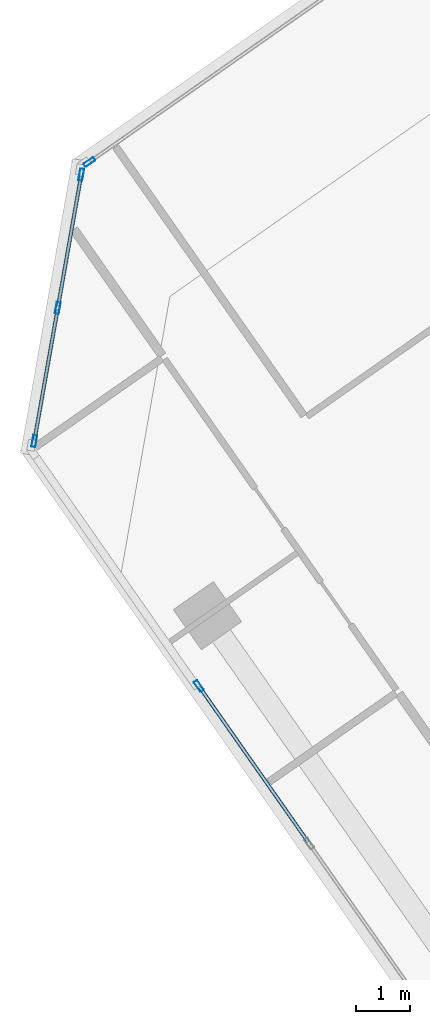
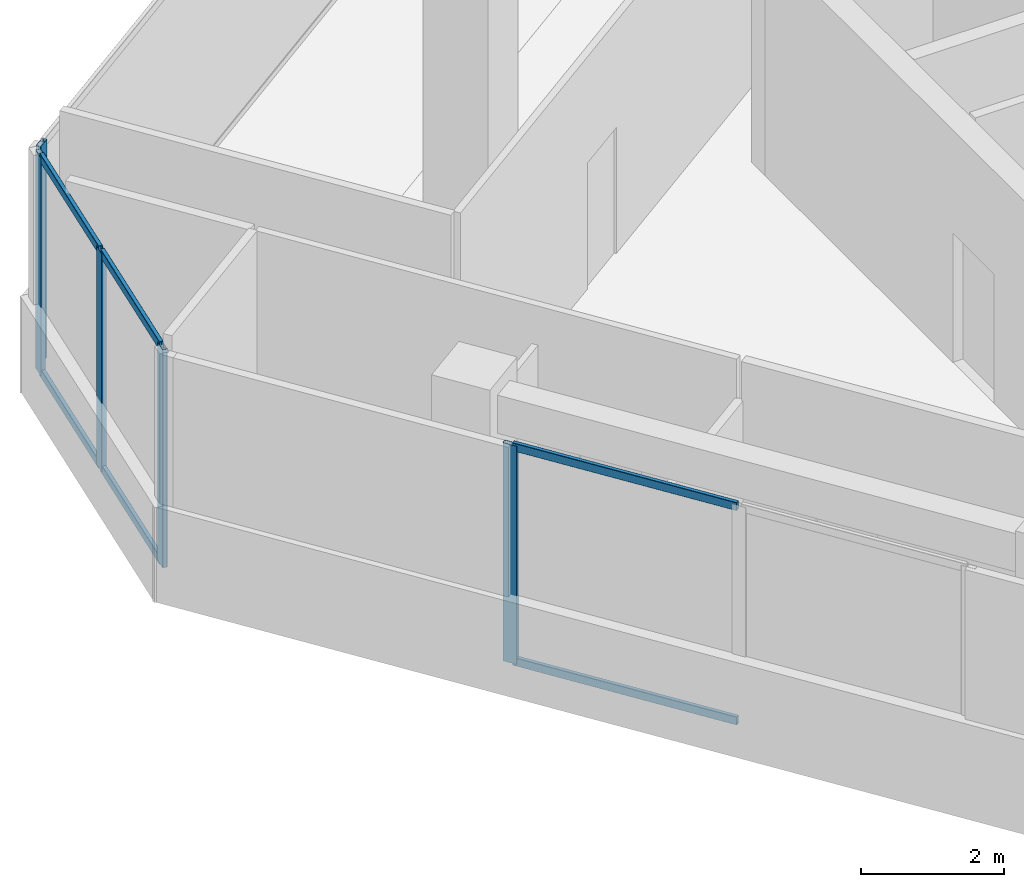
# One storey, part 5 of 17: 11 members, 3 elements without a shape of their own.
"""IFC4 building model written with IfcOpenShell, lengths in metres."""

from ifc_helpers import new_model, si_unit, direction, frame, origin, origin_2d, place, context, subcontext, project, spatial, hollow_rectangle, extrude, source, transform, mapped, material, material_profile, profile_set, type_object, element, aggregate, save


model = new_model("IFC4")

# Units and contexts
model_context = context("Model", 3, precision=1e-05, world=origin(), true_north=direction((0.0, 1.0)))
body_context = subcontext(model_context, "Body", "Model", "MODEL_VIEW")
ifc_project = project(units=[si_unit("LENGTHUNIT", "METRE"), si_unit("AREAUNIT", "SQUARE_METRE"), si_unit("VOLUMEUNIT", "CUBIC_METRE"), si_unit("PLANEANGLEUNIT", "RADIAN"), si_unit("MASSUNIT", "GRAM", prefix="KILO")], contexts=[model_context])

# Site, building, storey
site_placement = place(None, origin())
site = spatial("IfcSite", under=ifc_project, at=site_placement, CompositionType="ELEMENT")
building_placement = place(site_placement, origin())
building = spatial("IfcBuilding", under=site, at=building_placement, Name="Torre Montelarca", CompositionType="ELEMENT")
storey_placement = place(building_placement, frame((0.0, 0.0, 298.800048828125)))
storey = spatial("IfcBuildingStorey", under=building, at=storey_placement, Name="L67", CompositionType="ELEMENT", Elevation=298.800048828125)

# Curtain wall, member
ifc_material_1 = material(Name="Insulated low-E laminated glass", Category="glass")
curtain_wall_type = type_object("IfcCurtainWallType", Name="CW-SYS-Z4", PredefinedType="USERDEFINED", material=ifc_material_1)
curtain_wall_1_placement = place(storey_placement, origin())
curtain_wall_1 = element("IfcCurtainWall", 1, at=curtain_wall_1_placement, inside=storey, type_object=curtain_wall_type, Name="L67 Curtain Wall Run CW-T3-L67-E01-B1", ObjectType="UNITISED GLAZING", PredefinedType="USERDEFINED")
ifc_material_2 = material(Name="Anodised aluminium AA 6063-T6", Category="aluminium")
ifc_material_profile_1 = material_profile(ifc_material_2, hollow_rectangle(XDim=0.074951171875, YDim=0.219970703125, WallThickness=0.0048828125, InnerFilletRadius=0.0048828125, OuterFilletRadius=0.010009765625, at=origin_2d()), Name="ALU75X220X5", Category="aluminium")
ifc_profile_set_1 = profile_set([ifc_material_profile_1], Name="Anodised aluminium AA 6063-T6")
member_type_1 = type_object("IfcMemberType", Name="CWM-ALU220", PredefinedType="MULLION", material=ifc_profile_set_1)
shared_shape_1 = source(origin(), body_context, "Body", "SweptSolid", [
    extrude(hollow_rectangle(XDim=0.074951171875, YDim=0.219970703125, WallThickness=0.0048828125, InnerFilletRadius=0.0048828125, OuterFilletRadius=0.010009765625, at=origin_2d()), origin(), (0.0, 0.0, 1.0), 3.719970703125),
])
member_1_placement = place(storey_placement, frame((0.083251953125, 31.082275390625, 0.0), z_axis=(0.0, 0.0, 1.0), x_axis=(0.819156903891, 0.573569496058, 0.0)))
member_1 = element("IfcMember", 2, at=member_1_placement, type_object=member_type_1, Name="CW mullion 1", PredefinedType="MULLION", context=body_context, shape_type="MappedRepresentation", body=[
    mapped(shared_shape_1, transform((0.0, 0.0, 0.0), scale=1.0)),
])

curtain_wall_2_placement = place(storey_placement, origin())
curtain_wall_2 = element("IfcCurtainWall", 3, at=curtain_wall_2_placement, inside=storey, type_object=curtain_wall_type, Name="L67 Curtain Wall Run CW-T3-L67-E10-B1", ObjectType="UNITISED GLAZING", PredefinedType="USERDEFINED")
member_2_placement = place(storey_placement, frame((-1.927734375, 40.70703125, 0.0), z_axis=(0.0, 0.0, 1.0), x_axis=(0.57357162512, -0.819155413128, 0.0)))
member_2 = element("IfcMember", 4, at=member_2_placement, type_object=member_type_1, Name="CW mullion 3", PredefinedType="MULLION", context=body_context, shape_type="MappedRepresentation", body=[
    mapped(shared_shape_1, transform((0.0, 0.0, 0.0), scale=1.0)),
])
aggregate(curtain_wall_2, [member_2])

# Curtain wall, members
curtain_wall_3_placement = place(storey_placement, origin())
curtain_wall_3 = element("IfcCurtainWall", 5, at=curtain_wall_3_placement, inside=storey, type_object=curtain_wall_type, Name="L67 Curtain Wall Run CW-T3-L67-E11-B1", ObjectType="UNITISED GLAZING", PredefinedType="USERDEFINED")
member_3_placement = place(storey_placement, frame((-2.076171875, 40.47412109375, 0.0), z_axis=(0.0, 0.0, 1.0), x_axis=(0.984810101776, -0.173634856638, 0.0)))
member_3 = element("IfcMember", 6, at=member_3_placement, type_object=member_type_1, Name="CW mullion 1", PredefinedType="MULLION", context=body_context, shape_type="MappedRepresentation", body=[
    mapped(shared_shape_1, transform((0.0, 0.0, 0.0), scale=1.0)),
])
member_4_placement = place(storey_placement, frame((-2.50732421875, 38.0283203125, 0.0), z_axis=(0.0, 0.0, 1.0), x_axis=(0.984810101776, -0.173634856638, 0.0)))
member_4 = element("IfcMember", 7, at=member_4_placement, type_object=member_type_1, Name="CW mullion 2", PredefinedType="MULLION", context=body_context, shape_type="MappedRepresentation", body=[
    mapped(shared_shape_1, transform((0.0, 0.0, 0.0), scale=1.0)),
])
member_5_placement = place(storey_placement, frame((-2.9384765625, 35.582275390625, 0.0), z_axis=(0.0, 0.0, 1.0), x_axis=(0.984810101776, -0.173634856638, 0.0)))
member_5 = element("IfcMember", 8, at=member_5_placement, type_object=member_type_1, Name="CW mullion 3", PredefinedType="MULLION", context=body_context, shape_type="MappedRepresentation", body=[
    mapped(shared_shape_1, transform((0.0, 0.0, 0.0), scale=1.0)),
])

# Member
ifc_material_profile_2 = material_profile(ifc_material_2, hollow_rectangle(XDim=0.06494140625, YDim=0.139892578125, WallThickness=0.00390625, InnerFilletRadius=0.00390625, OuterFilletRadius=0.008056640625, at=origin_2d()), Name="ALU65X140X4", Category="aluminium")
ifc_profile_set_2 = profile_set([ifc_material_profile_2], Name="Anodised aluminium AA 6063-T6")
member_type_2 = type_object("IfcMemberType", Name="CWT-ALU140", PredefinedType="USERDEFINED", material=ifc_profile_set_2)
shared_shape_2 = source(origin(), body_context, "Body", "SweptSolid", [
    extrude(hollow_rectangle(XDim=0.06494140625, YDim=0.139892578125, WallThickness=0.00390625, InnerFilletRadius=0.00390625, OuterFilletRadius=0.008056640625, at=origin_2d()), origin(), (0.0, 0.0, 1.0), 3.45751953125),
])
member_6_placement = place(storey_placement, frame((0.104736328125, 31.0517578125, 0.032470703125), z_axis=(0.573571335788, -0.819155615718, 0.0), x_axis=(0.819155615718, 0.573571335788, 0.0)))
member_6 = element("IfcMember", 9, at=member_6_placement, type_object=member_type_2, Name="CW transom 1.1", ObjectType="TRANSOM", PredefinedType="USERDEFINED", context=body_context, shape_type="MappedRepresentation", body=[
    mapped(shared_shape_2, transform((0.0, 0.0, 0.0), scale=1.0)),
])

member_7_placement = place(storey_placement, frame((0.104736328125, 31.0517578125, 3.6875), z_axis=(0.573571335788, -0.819155615718, 0.0), x_axis=(0.819155615718, 0.573571335788, 0.0)))
member_7 = element("IfcMember", 10, at=member_7_placement, type_object=member_type_2, Name="CW transom 1.2", ObjectType="TRANSOM", PredefinedType="USERDEFINED", context=body_context, shape_type="MappedRepresentation", body=[
    mapped(shared_shape_2, transform((0.0, 0.0, 0.0), scale=1.0)),
])

aggregate(curtain_wall_1, [member_1, member_6, member_7])

shared_shape_3 = source(origin(), body_context, "Body", "SweptSolid", [
    extrude(hollow_rectangle(XDim=0.06494140625, YDim=0.139892578125, WallThickness=0.00390625, InnerFilletRadius=0.00390625, OuterFilletRadius=0.008056640625, at=origin_2d()), origin(), (0.0, 0.0, 1.0), 2.40869140625),
])
member_8_placement = place(storey_placement, frame((-2.08251953125, 40.437255859375, 0.032470703125), z_axis=(-0.173629210537, -0.984811097241, 0.0), x_axis=(0.984811097241, -0.173629210537, 0.0)))
member_8 = element("IfcMember", 11, at=member_8_placement, type_object=member_type_2, Name="CW transom 1.1", ObjectType="TRANSOM", PredefinedType="USERDEFINED", context=body_context, shape_type="MappedRepresentation", body=[
    mapped(shared_shape_3, transform((0.0, 0.0, 0.0), scale=1.0)),
])

member_9_placement = place(storey_placement, frame((-2.08251953125, 40.437255859375, 3.6875), z_axis=(-0.173629210537, -0.984811097241, 0.0), x_axis=(0.984811097241, -0.173629210537, 0.0)))
member_9 = element("IfcMember", 12, at=member_9_placement, type_object=member_type_2, Name="CW transom 1.2", ObjectType="TRANSOM", PredefinedType="USERDEFINED", context=body_context, shape_type="MappedRepresentation", body=[
    mapped(shared_shape_3, transform((0.0, 0.0, 0.0), scale=1.0)),
])

member_10_placement = place(storey_placement, frame((-2.513916015625, 37.9912109375, 0.032470703125), z_axis=(-0.173629210537, -0.984811097241, 0.0), x_axis=(0.984811097241, -0.173629210537, 0.0)))
member_10 = element("IfcMember", 13, at=member_10_placement, type_object=member_type_2, Name="CW transom 2.1", ObjectType="TRANSOM", PredefinedType="USERDEFINED", context=body_context, shape_type="MappedRepresentation", body=[
    mapped(shared_shape_3, transform((0.0, 0.0, 0.0), scale=1.0)),
])

member_11_placement = place(storey_placement, frame((-2.513916015625, 37.9912109375, 3.6875), z_axis=(-0.173629210537, -0.984811097241, 0.0), x_axis=(0.984811097241, -0.173629210537, 0.0)))
member_11 = element("IfcMember", 14, at=member_11_placement, type_object=member_type_2, Name="CW transom 2.2", ObjectType="TRANSOM", PredefinedType="USERDEFINED", context=body_context, shape_type="MappedRepresentation", body=[
    mapped(shared_shape_3, transform((0.0, 0.0, 0.0), scale=1.0)),
])

aggregate(curtain_wall_3, [member_3, member_4, member_5, member_8, member_9, member_10, member_11])

save(model, "model.ifc")
